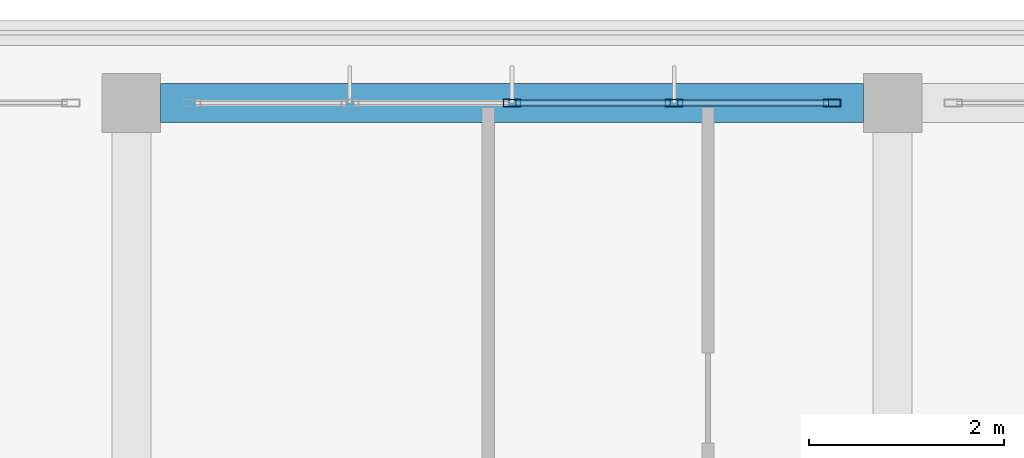
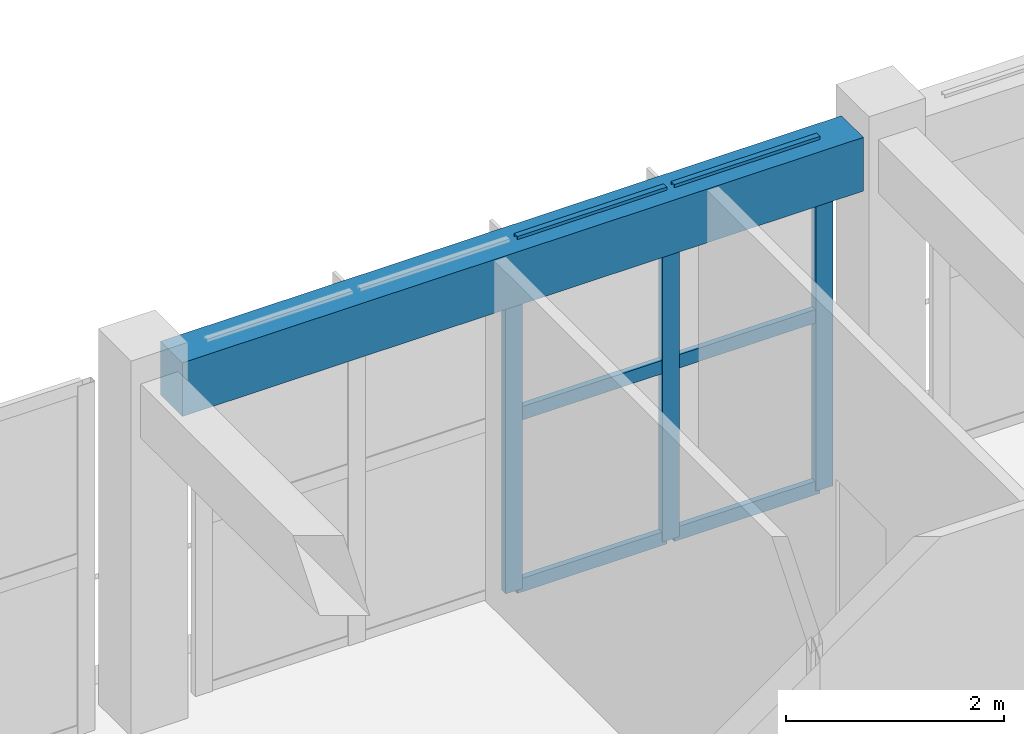
# One storey, part 10 of 50: 9 members, 1 beam, 1 element without a shape of its own.
"""IFC4 building model written with IfcOpenShell, lengths in metres."""

from ifc_helpers import new_model, si_unit, direction, frame, origin, origin_2d, place, context, subcontext, project, spatial, rectangle, hollow_rectangle, extrude, material, layer, layer_set, material_profile, profile_set, type_object, element, aggregate, save


model = new_model("IFC4")

# Units and contexts
model_context = context("Model", 3, precision=1e-05, world=origin(), true_north=direction((0.0, 1.0)))
body_context = subcontext(model_context, "Body", "Model", "MODEL_VIEW")
ifc_project = project(units=[si_unit("LENGTHUNIT", "METRE"), si_unit("AREAUNIT", "SQUARE_METRE"), si_unit("VOLUMEUNIT", "CUBIC_METRE"), si_unit("PLANEANGLEUNIT", "RADIAN"), si_unit("MASSUNIT", "GRAM", prefix="KILO")], contexts=[model_context])

# Site, building, storey
site_placement = place(None, origin())
site = spatial("IfcSite", under=ifc_project, at=site_placement, CompositionType="ELEMENT")
building_placement = place(site_placement, origin())
building = spatial("IfcBuilding", under=site, at=building_placement, Name="Zizhar Promenade General Hospital", CompositionType="ELEMENT")
storey_placement = place(building_placement, frame((0.0, 0.0, 30.60009765625)))
storey = spatial("IfcBuildingStorey", under=building, at=storey_placement, Name="L07", CompositionType="ELEMENT", Elevation=30.60009765625)

# Beam
ifc_material_1 = material(Name="Concrete C35/45", Category="concrete")
ifc_material_profile_1 = material_profile(ifc_material_1, rectangle(XDim=0.39990234375, YDim=0.60009765625, at=origin_2d()))
ifc_profile_set_1 = profile_set([ifc_material_profile_1], Name="Concrete C35/45")
beam_type = type_object("IfcBeamType", Name="BM-RC-400x600", PredefinedType="JOIST", material=ifc_profile_set_1)
beam_placement = place(storey_placement, frame((47.10009765625, 25.199951171875, 3.60986328125), z_axis=(1.0, 0.0, 0.0), x_axis=(0.0, 1.0, 0.0)))
element("IfcBeam", 1, at=beam_placement, inside=storey, type_object=beam_type, Name="Grid Beam X L07 (6-3)", PredefinedType="JOIST", context=body_context, shape_type="SweptSolid", body=[
    extrude(rectangle(XDim=0.39990234375, YDim=0.60009765625, at=origin_2d()), origin(), (0.0, 0.0, 1.0), 7.199951171875),
])

# Curtain wall, members
ifc_material_2 = material(Name="Anodised aluminium 6063-T6 and low-E glass", Category="aluminium")
ifc_layer = layer(ifc_material_2, 0.159912109375)
ifc_layer_set = layer_set([ifc_layer], Name="Anodised aluminium 6063-T6 and low-E glass")
curtain_wall_type = type_object("IfcCurtainWallType", Name="CW-WARD-RIB", PredefinedType="NOTDEFINED", material=ifc_layer_set)
curtain_wall_placement = place(storey_placement, origin())
curtain_wall = element("IfcCurtainWall", 2, at=curtain_wall_placement, inside=storey, type_object=curtain_wall_type, Name="Ward Ribbon Curtain Wall L07-8-1", PredefinedType="NOTDEFINED")
ifc_material_3 = material(Name="Anodised aluminium 6063-T6", Category="aluminium")
ifc_material_profile_2 = material_profile(ifc_material_3, hollow_rectangle(XDim=0.080078125, YDim=0.179931640625, WallThickness=0.0048828125, at=origin_2d()))
ifc_profile_set_2 = profile_set([ifc_material_profile_2], Name="Anodised aluminium 6063-T6")
member_type_1 = type_object("IfcMemberType", Name="CWM-ALU-180x80", PredefinedType="MULLION", material=ifc_profile_set_2)
member_1_placement = place(storey_placement, frame((50.699951171875, 25.199951171875, 0.0), z_axis=(0.0, 0.0, 1.0), x_axis=(0.0, 1.0, 0.0)))
member_1 = element("IfcMember", 3, at=member_1_placement, type_object=member_type_1, Name="CW-13 mullion 3", PredefinedType="MULLION", context=body_context, shape_type="SweptSolid", body=[
    extrude(hollow_rectangle(XDim=0.080078125, YDim=0.179931640625, WallThickness=0.0048828125, at=origin_2d()), origin(), (0.0, 0.0, 1.0), 3.89990234375),
])
member_2_placement = place(storey_placement, frame((52.360107421875, 25.199951171875, 0.0), z_axis=(0.0, 0.0, 1.0), x_axis=(0.0, 1.0, 0.0)))
member_2 = element("IfcMember", 4, at=member_2_placement, type_object=member_type_1, Name="CW-13 mullion 4", PredefinedType="MULLION", context=body_context, shape_type="SweptSolid", body=[
    extrude(hollow_rectangle(XDim=0.080078125, YDim=0.179931640625, WallThickness=0.0048828125, at=origin_2d()), origin(), (0.0, 0.0, 1.0), 3.89990234375),
])
member_3_placement = place(storey_placement, frame((53.97998046875, 25.199951171875, 0.0), z_axis=(0.0, 0.0, 1.0), x_axis=(0.0, 1.0, 0.0)))
member_3 = element("IfcMember", 5, at=member_3_placement, type_object=member_type_1, Name="CW-13 mullion 5", PredefinedType="MULLION", context=body_context, shape_type="SweptSolid", body=[
    extrude(hollow_rectangle(XDim=0.080078125, YDim=0.179931640625, WallThickness=0.0048828125, at=origin_2d()), origin(), (0.0, 0.0, 1.0), 3.89990234375),
])
ifc_material_4 = material(Name="Anodised aluminium 6063-T6", Category="aluminium")
ifc_material_profile_3 = material_profile(ifc_material_4, hollow_rectangle(XDim=0.06005859375, YDim=0.14990234375, WallThickness=0.00390625, at=origin_2d()))
ifc_profile_set_3 = profile_set([ifc_material_profile_3], Name="Anodised aluminium 6063-T6")
member_type_2 = type_object("IfcMemberType", Name="CWT-ALU-150x60", PredefinedType="USERDEFINED", material=ifc_profile_set_3)
member_4_placement = place(storey_placement, frame((50.739990234375, 25.199951171875, 0.02978515625), z_axis=(1.0, 0.0, 0.0), x_axis=(0.0, 1.0, 0.0)))
member_4 = element("IfcMember", 6, at=member_4_placement, type_object=member_type_2, Name="CW-13 transom 3.1", ObjectType="TRANSOM", PredefinedType="USERDEFINED", context=body_context, shape_type="SweptSolid", body=[
    extrude(hollow_rectangle(XDim=0.06005859375, YDim=0.14990234375, WallThickness=0.00390625, at=origin_2d()), origin(), (0.0, 0.0, 1.0), 1.580078125),
])
member_5_placement = place(storey_placement, frame((50.739990234375, 25.199951171875, 1.949951171875), z_axis=(1.0, 0.0, 0.0), x_axis=(0.0, 1.0, 0.0)))
member_5 = element("IfcMember", 7, at=member_5_placement, type_object=member_type_2, Name="CW-13 transom 3.2", ObjectType="TRANSOM", PredefinedType="USERDEFINED", context=body_context, shape_type="SweptSolid", body=[
    extrude(hollow_rectangle(XDim=0.06005859375, YDim=0.14990234375, WallThickness=0.00390625, at=origin_2d()), origin(), (0.0, 0.0, 1.0), 1.580078125),
])
member_6_placement = place(storey_placement, frame((50.739990234375, 25.199951171875, 3.869873046875), z_axis=(1.0, 0.0, 0.0), x_axis=(0.0, 1.0, 0.0)))
member_6 = element("IfcMember", 8, at=member_6_placement, type_object=member_type_2, Name="CW-13 transom 3.3", ObjectType="TRANSOM", PredefinedType="USERDEFINED", context=body_context, shape_type="SweptSolid", body=[
    extrude(hollow_rectangle(XDim=0.06005859375, YDim=0.14990234375, WallThickness=0.00390625, at=origin_2d()), origin(), (0.0, 0.0, 1.0), 1.580078125),
])
member_7_placement = place(storey_placement, frame((52.39990234375, 25.199951171875, 0.02978515625), z_axis=(1.0, 0.0, 0.0), x_axis=(0.0, 1.0, 0.0)))
member_7 = element("IfcMember", 9, at=member_7_placement, type_object=member_type_2, Name="CW-13 transom 4.1", ObjectType="TRANSOM", PredefinedType="USERDEFINED", context=body_context, shape_type="SweptSolid", body=[
    extrude(hollow_rectangle(XDim=0.06005859375, YDim=0.14990234375, WallThickness=0.00390625, at=origin_2d()), origin(), (0.0, 0.0, 1.0), 1.5400390625),
])
member_8_placement = place(storey_placement, frame((52.39990234375, 25.199951171875, 1.949951171875), z_axis=(1.0, 0.0, 0.0), x_axis=(0.0, 1.0, 0.0)))
member_8 = element("IfcMember", 10, at=member_8_placement, type_object=member_type_2, Name="CW-13 transom 4.2", ObjectType="TRANSOM", PredefinedType="USERDEFINED", context=body_context, shape_type="SweptSolid", body=[
    extrude(hollow_rectangle(XDim=0.06005859375, YDim=0.14990234375, WallThickness=0.00390625, at=origin_2d()), origin(), (0.0, 0.0, 1.0), 1.5400390625),
])
member_9_placement = place(storey_placement, frame((52.39990234375, 25.199951171875, 3.869873046875), z_axis=(1.0, 0.0, 0.0), x_axis=(0.0, 1.0, 0.0)))
member_9 = element("IfcMember", 11, at=member_9_placement, type_object=member_type_2, Name="CW-13 transom 4.3", ObjectType="TRANSOM", PredefinedType="USERDEFINED", context=body_context, shape_type="SweptSolid", body=[
    extrude(hollow_rectangle(XDim=0.06005859375, YDim=0.14990234375, WallThickness=0.00390625, at=origin_2d()), origin(), (0.0, 0.0, 1.0), 1.5400390625),
])
aggregate(curtain_wall, [member_1, member_2, member_3, member_4, member_5, member_6, member_7, member_8, member_9])

save(model, "model.ifc")
